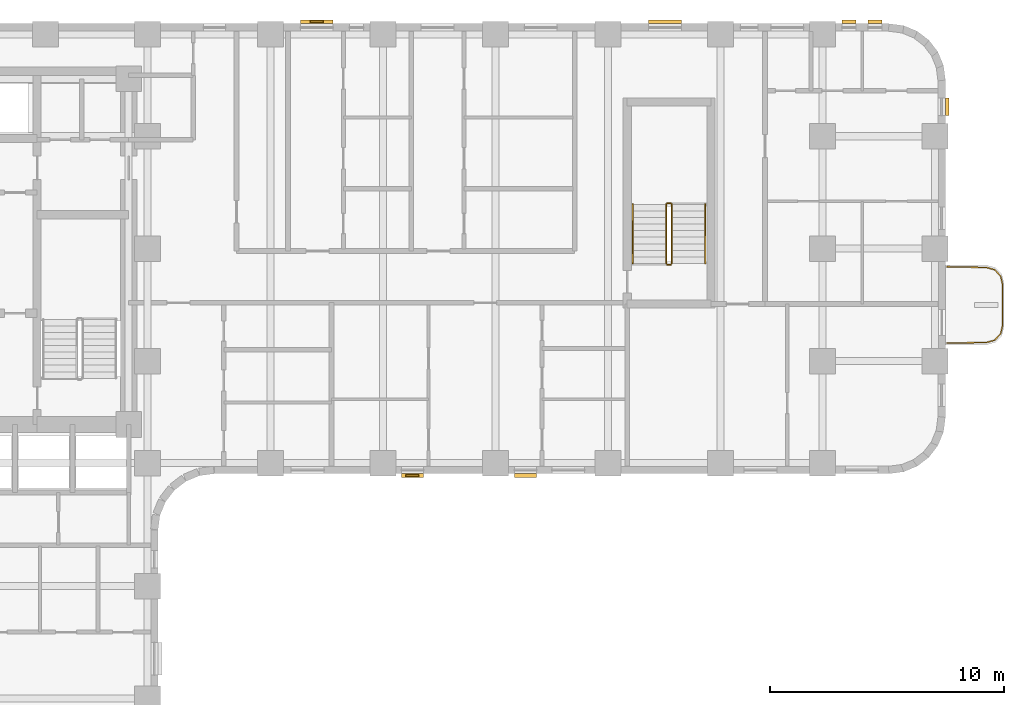
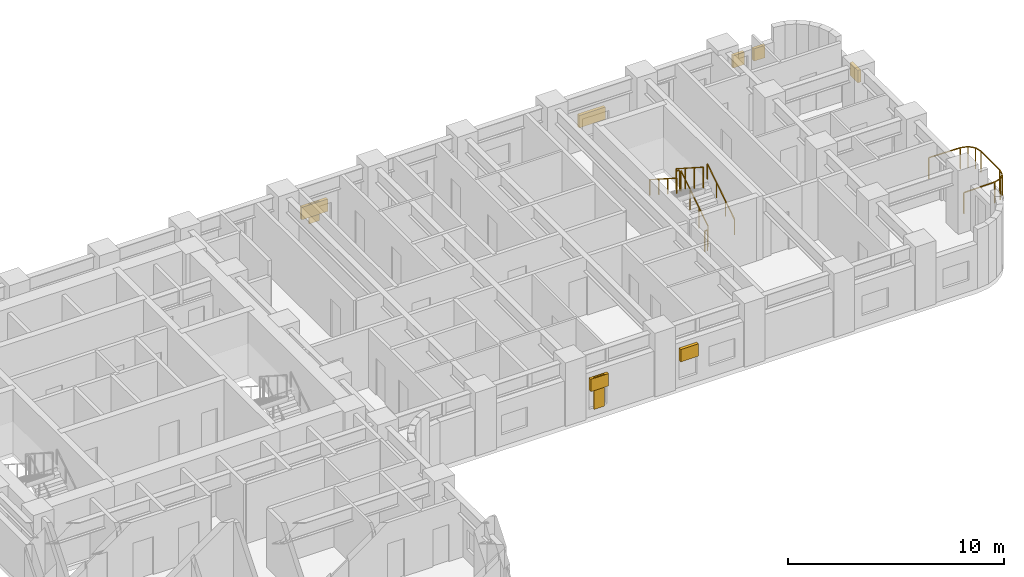
# One storey, part 10 of 10: 9 shading devices, 7 railings.
"""IFC4 building model written with IfcOpenShell, lengths in metres."""

from ifc_helpers import new_model, si_unit, direction, frame, origin, origin_2d, place, context, subcontext, project, spatial, rectangle, extrude, material, type_object, element, save


model = new_model("IFC4")

# Units and contexts
model_context = context("Model", 3, precision=1e-05, world=origin(), true_north=direction((0.0, 1.0)))
body_context = subcontext(model_context, "Body", "Model", "MODEL_VIEW")
ifc_project = project(units=[si_unit("LENGTHUNIT", "METRE"), si_unit("AREAUNIT", "SQUARE_METRE"), si_unit("VOLUMEUNIT", "CUBIC_METRE"), si_unit("PLANEANGLEUNIT", "RADIAN"), si_unit("MASSUNIT", "GRAM", prefix="KILO")], contexts=[model_context])

# Site, building, storey
site_placement = place(None, origin())
site = spatial("IfcSite", under=ifc_project, at=site_placement, CompositionType="ELEMENT")
building_placement = place(site_placement, origin())
building = spatial("IfcBuilding", under=site, at=building_placement, Name="Orvandelia Arch Residences", CompositionType="ELEMENT")
storey_placement = place(building_placement, frame((0.0, 0.0, 28.60009765625)))
storey = spatial("IfcBuildingStorey", under=building, at=storey_placement, Name="L06", CompositionType="ELEMENT", Elevation=28.60009765625)

# Railings
ifc_material_1 = material(Name="Marine-Grade Stainless Steel 316", Category="steel")
railing_type_1 = type_object("IfcRailingType", Name="GRD-BAL-1200", PredefinedType="BALUSTRADE", material=ifc_material_1)
railing_1_placement = place(storey_placement, frame((57.671875, 34.36962890625, 0.0)))
element("IfcRailing", 1, at=railing_1_placement, inside=storey, type_object=railing_type_1, Name="Safety Balustrade Guard GRD-L06-BAL-L06-E1-1", PredefinedType="BALUSTRADE", context=body_context, shape_type="SweptSolid", body=[
    extrude(rectangle(XDim=0.048095703125, YDim=0.048095703125, at=origin_2d()), frame((0.0, 0.0, 1.19580078125), z_axis=(0.999837384468, 0.018033430643, 0.0), x_axis=(-0.018033430643, 0.999837384468, 0.0)), (0.0, 0.0, 1.0), 1.6787109375),
    extrude(rectangle(XDim=0.048095703125, YDim=0.048095703125, at=origin_2d()), frame((1.678466796875, 0.0302734375, 1.19580078125), z_axis=(0.963441293861, 0.267919527627, 0.0), x_axis=(-0.267919527627, 0.963441293861, 0.0)), (0.0, 0.0, 1.0), 0.365478515625),
    extrude(rectangle(XDim=0.048095703125, YDim=0.048095703125, at=origin_2d()), frame((2.030517578125, 0.128173828125, 1.19580078125), z_axis=(0.688296224633, 0.725429739642, 0.0), x_axis=(-0.725429739642, 0.688296224633, 0.0)), (0.0, 0.0, 1.0), 0.3681640625),
    extrude(rectangle(XDim=0.048095703125, YDim=0.048095703125, at=origin_2d()), frame((2.283935546875, 0.395263671875, 1.19580078125), z_axis=(0.221225034864, 0.975222786828, 0.0), x_axis=(-0.975222786828, 0.221225034864, 0.0)), (0.0, 0.0, 1.0), 0.373046875),
    extrude(rectangle(XDim=0.048095703125, YDim=0.048095703125, at=origin_2d()), frame((2.366455078125, 0.759033203125, 1.19580078125), z_axis=(0.0, 1.0, 0.0), x_axis=(-1.0, 0.0, 0.0)), (0.0, 0.0, 1.0), 1.74267578125),
    extrude(rectangle(XDim=0.048095703125, YDim=0.048095703125, at=origin_2d()), frame((2.366455078125, 2.501708984375, 1.19580078125), z_axis=(-0.221225034864, 0.975222786828, 0.0), x_axis=(-0.975222786828, -0.221225034864, 0.0)), (0.0, 0.0, 1.0), 0.373046875),
    extrude(rectangle(XDim=0.048095703125, YDim=0.048095703125, at=origin_2d()), frame((2.283935546875, 2.865478515625, 1.19580078125), z_axis=(-0.688296224633, 0.725429739642, 0.0), x_axis=(-0.725429739642, -0.688296224633, 0.0)), (0.0, 0.0, 1.0), 0.3681640625),
    extrude(rectangle(XDim=0.048095703125, YDim=0.048095703125, at=origin_2d()), frame((2.030517578125, 3.132568359375, 1.19580078125), z_axis=(-0.963441293861, 0.267919527627, 0.0), x_axis=(-0.267919527627, -0.963441293861, 0.0)), (0.0, 0.0, 1.0), 0.365478515625),
    extrude(rectangle(XDim=0.048095703125, YDim=0.048095703125, at=origin_2d()), frame((1.678466796875, 3.23046875, 1.19580078125), z_axis=(-0.999837384468, 0.018033430643, 0.0), x_axis=(-0.018033430643, -0.999837384468, 0.0)), (0.0, 0.0, 1.0), 1.6787109375),
    extrude(rectangle(XDim=0.0419921875, YDim=0.0419921875, at=origin_2d()), origin(), (0.0, 0.0, 1.0), 1.171875),
    extrude(rectangle(XDim=0.0419921875, YDim=0.0419921875, at=origin_2d()), frame((1.678466796875, 0.0302734375, 0.0)), (0.0, 0.0, 1.0), 1.171875),
    extrude(rectangle(XDim=0.0419921875, YDim=0.0419921875, at=origin_2d()), frame((2.030517578125, 0.128173828125, 0.0)), (0.0, 0.0, 1.0), 1.171875),
    extrude(rectangle(XDim=0.0419921875, YDim=0.0419921875, at=origin_2d()), frame((2.283935546875, 0.395263671875, 0.0)), (0.0, 0.0, 1.0), 1.171875),
    extrude(rectangle(XDim=0.0419921875, YDim=0.0419921875, at=origin_2d()), frame((2.366455078125, 0.759033203125, 0.0)), (0.0, 0.0, 1.0), 1.171875),
    extrude(rectangle(XDim=0.0419921875, YDim=0.0419921875, at=origin_2d()), frame((2.366455078125, 2.501708984375, 0.0)), (0.0, 0.0, 1.0), 1.171875),
    extrude(rectangle(XDim=0.0419921875, YDim=0.0419921875, at=origin_2d()), frame((2.283935546875, 2.865478515625, 0.0)), (0.0, 0.0, 1.0), 1.171875),
    extrude(rectangle(XDim=0.0419921875, YDim=0.0419921875, at=origin_2d()), frame((2.030517578125, 3.132568359375, 0.0)), (0.0, 0.0, 1.0), 1.171875),
    extrude(rectangle(XDim=0.0419921875, YDim=0.0419921875, at=origin_2d()), frame((1.678466796875, 3.23046875, 0.0)), (0.0, 0.0, 1.0), 1.171875),
    extrude(rectangle(XDim=0.0419921875, YDim=0.0419921875, at=origin_2d()), frame((0.0, 3.2607421875, 0.0)), (0.0, 0.0, 1.0), 1.171875),
])
ifc_material_2 = material(Name="Brushed Stainless Steel 304", Category="steel")
railing_type_2 = type_object("IfcRailingType", Name="RL-STAIR-GD1120", PredefinedType="GUARDRAIL", material=ifc_material_2)
railing_2_placement = place(storey_placement, frame((45.929931640625, 37.77001953125, 0.179931640625)))
element("IfcRailing", 2, at=railing_2_placement, inside=storey, type_object=railing_type_2, Name="L06 ST-3 stair guard 1", PredefinedType="GUARDRAIL", context=body_context, shape_type="SweptSolid", body=[
    extrude(rectangle(XDim=0.048095703125, YDim=0.048095703125, at=origin_2d()), frame((0.0, 0.0, 1.17578125), z_axis=(0.0, 0.841199657755, 0.540724639528), x_axis=(-1.0, 0.0, 0.0)), (0.0, 0.0, 1.0), 2.995849609375),
    extrude(rectangle(XDim=0.0419921875, YDim=0.0419921875, at=origin_2d()), origin(), (0.0, 0.0, 1.0), 1.15185546875),
    extrude(rectangle(XDim=0.0419921875, YDim=0.0419921875, at=origin_2d()), frame((0.0, 0.840087890625, 0.5400390625)), (0.0, 0.0, 1.0), 1.15185546875),
    extrude(rectangle(XDim=0.0419921875, YDim=0.0419921875, at=origin_2d()), frame((0.0, 1.679931640625, 1.079833984375)), (0.0, 0.0, 1.0), 1.15185546875),
    extrude(rectangle(XDim=0.0419921875, YDim=0.0419921875, at=origin_2d()), frame((0.0, 2.52001953125, 1.619873046875)), (0.0, 0.0, 1.0), 1.15185546875),
])
railing_3_placement = place(storey_placement, frame((45.8798828125, 40.340087890625, 1.7998046875)))
element("IfcRailing", 3, at=railing_3_placement, inside=storey, type_object=railing_type_2, Name="L06 ST-3 stair guard 2", PredefinedType="GUARDRAIL", context=body_context, shape_type="SweptSolid", body=[
    extrude(rectangle(XDim=0.048095703125, YDim=0.048095703125, at=origin_2d()), frame((0.0, 0.0, 1.17578125), z_axis=(-1.0, 0.0, 0.0), x_axis=(0.0, -1.0, 0.0)), (0.0, 0.0, 1.0), 0.14990234375),
    extrude(rectangle(XDim=0.0419921875, YDim=0.0419921875, at=origin_2d()), origin(), (0.0, 0.0, 1.0), 1.15185546875),
    extrude(rectangle(XDim=0.0419921875, YDim=0.0419921875, at=origin_2d()), frame((-0.14990234375, 0.0, 0.0)), (0.0, 0.0, 1.0), 1.15185546875),
])
railing_4_placement = place(storey_placement, frame((45.679931640625, 40.2900390625, 1.97998046875)))
element("IfcRailing", 4, at=railing_4_placement, inside=storey, type_object=railing_type_2, Name="L06 ST-3 stair guard 3", PredefinedType="GUARDRAIL", context=body_context, shape_type="SweptSolid", body=[
    extrude(rectangle(XDim=0.048095703125, YDim=0.048095703125, at=origin_2d()), frame((0.0, 0.0, 1.17578125), z_axis=(0.0, -0.841199657755, 0.540724639528), x_axis=(1.0, 0.0, 0.0)), (0.0, 0.0, 1.0), 2.995849609375),
    extrude(rectangle(XDim=0.0419921875, YDim=0.0419921875, at=origin_2d()), origin(), (0.0, 0.0, 1.0), 1.15185546875),
    extrude(rectangle(XDim=0.0419921875, YDim=0.0419921875, at=origin_2d()), frame((0.0, -0.840087890625, 0.5400390625)), (0.0, 0.0, 1.0), 1.15185546875),
    extrude(rectangle(XDim=0.0419921875, YDim=0.0419921875, at=origin_2d()), frame((0.0, -1.679931640625, 1.079833984375)), (0.0, 0.0, 1.0), 1.15185546875),
    extrude(rectangle(XDim=0.0419921875, YDim=0.0419921875, at=origin_2d()), frame((0.0, -2.52001953125, 1.619873046875)), (0.0, 0.0, 1.0), 1.15185546875),
])
railing_5_placement = place(storey_placement, frame((45.8798828125, 37.719970703125, 0.0)))
element("IfcRailing", 5, at=railing_5_placement, inside=storey, type_object=railing_type_2, Name="L06 ST-3 stair guard 4", PredefinedType="GUARDRAIL", context=body_context, shape_type="SweptSolid", body=[
    extrude(rectangle(XDim=0.048095703125, YDim=0.048095703125, at=origin_2d()), frame((0.0, 0.0, 1.17578125), z_axis=(-1.0, 0.0, 0.0), x_axis=(0.0, -1.0, 0.0)), (0.0, 0.0, 1.0), 0.14990234375),
    extrude(rectangle(XDim=0.0419921875, YDim=0.0419921875, at=origin_2d()), origin(), (0.0, 0.0, 1.0), 1.15185546875),
    extrude(rectangle(XDim=0.0419921875, YDim=0.0419921875, at=origin_2d()), frame((-0.14990234375, 0.0, 0.0)), (0.0, 0.0, 1.0), 1.15185546875),
])
railing_type_3 = type_object("IfcRailingType", Name="RL-STAIR-HR920", PredefinedType="HANDRAIL", material=ifc_material_2)
railing_6_placement = place(storey_placement, frame((47.35009765625, 37.77001953125, 0.35986328125)))
element("IfcRailing", 6, at=railing_6_placement, inside=storey, type_object=railing_type_3, Name="L06 ST-3 stair handrail 1", PredefinedType="HANDRAIL", context=body_context, shape_type="SweptSolid", body=[
    extrude(rectangle(XDim=0.048095703125, YDim=0.048095703125, at=origin_2d()), frame((0.0, 0.0, 0.8759765625), z_axis=(0.0, 0.841162588446, 0.540782303519), x_axis=(-1.0, 0.0, 0.0)), (0.0, 0.0, 1.0), 2.995849609375),
    extrude(rectangle(XDim=0.0419921875, YDim=0.0419921875, at=origin_2d()), origin(), (0.0, 0.0, 1.0), 0.851806640625),
    extrude(rectangle(XDim=0.0419921875, YDim=0.0419921875, at=origin_2d()), frame((0.0, 0.840087890625, 0.5400390625)), (0.0, 0.0, 1.0), 0.851806640625),
    extrude(rectangle(XDim=0.0419921875, YDim=0.0419921875, at=origin_2d()), frame((0.0, 1.679931640625, 1.080078125)), (0.0, 0.0, 1.0), 0.851806640625),
    extrude(rectangle(XDim=0.0419921875, YDim=0.0419921875, at=origin_2d()), frame((0.0, 2.52001953125, 1.6201171875)), (0.0, 0.0, 1.0), 0.851806640625),
])
railing_7_placement = place(storey_placement, frame((44.260009765625, 40.2900390625, 2.159912109375)))
element("IfcRailing", 7, at=railing_7_placement, inside=storey, type_object=railing_type_3, Name="L06 ST-3 stair handrail 2", PredefinedType="HANDRAIL", context=body_context, shape_type="SweptSolid", body=[
    extrude(rectangle(XDim=0.048095703125, YDim=0.048095703125, at=origin_2d()), frame((0.0, 0.0, 0.8759765625), z_axis=(0.0, -0.841199657755, 0.540724639528), x_axis=(1.0, 0.0, 0.0)), (0.0, 0.0, 1.0), 2.995849609375),
    extrude(rectangle(XDim=0.0419921875, YDim=0.0419921875, at=origin_2d()), origin(), (0.0, 0.0, 1.0), 0.851806640625),
    extrude(rectangle(XDim=0.0419921875, YDim=0.0419921875, at=origin_2d()), frame((0.0, -0.840087890625, 0.5400390625)), (0.0, 0.0, 1.0), 0.851806640625),
    extrude(rectangle(XDim=0.0419921875, YDim=0.0419921875, at=origin_2d()), frame((0.0, -1.679931640625, 1.079833984375)), (0.0, 0.0, 1.0), 0.851806640625),
    extrude(rectangle(XDim=0.0419921875, YDim=0.0419921875, at=origin_2d()), frame((0.0, -2.52001953125, 1.619873046875)), (0.0, 0.0, 1.0), 0.851806640625),
])

# Shading devices
ifc_material_3 = material(Name="Anodised Champagne-Bronze Extruded Aluminium", Category="aluminium")
shading_device_type_1 = type_object("IfcShadingDeviceType", Name="SHD-JALOUSIE-SCREEN", PredefinedType="JALOUSIE", material=ifc_material_3)
shading_device_1_placement = place(storey_placement, frame((54.593994140625, 48.080078125, 1.5498046875), z_axis=(0.0, 0.0, 1.0), x_axis=(1.0, 0.0, 0.0)))
element("IfcShadingDevice", 8, at=shading_device_1_placement, inside=storey, type_object=shading_device_type_1, Name="Bronze Jalousie Sun-Shade L06-001", PredefinedType="JALOUSIE", context=body_context, shape_type="SweptSolid", body=[
    extrude(rectangle(XDim=0.60009765625, YDim=0.159912109375, at=origin_2d()), origin(), (0.0, 0.0, 1.0), 0.699951171875),
])
for number, where, z_axis, x_axis, name in (
    (9, (45.635986328125, 48.080078125, 1.0498046875), (0.0, 0.0, 1.0), (1.0, 0.0, 0.0), "Bronze Jalousie Sun-Shade L06-002"),
    (10, (30.77001953125, 48.080078125, 1.0498046875), (0.0, 0.0, 1.0), (1.0, 0.0, 0.0), "Bronze Jalousie Sun-Shade L06-003"),
):
    element("IfcShadingDevice", number, at=place(storey_placement, frame(where, z_axis=z_axis, x_axis=x_axis)), inside=storey, type_object=shading_device_type_1, Name=name, PredefinedType="JALOUSIE", context=body_context, shape_type="SweptSolid", body=[
        extrude(rectangle(XDim=1.39990234375, YDim=0.159912109375, at=origin_2d()), origin(), (0.0, 0.0, 1.0), 0.699951171875),
    ])
shading_device_2_placement = place(storey_placement, frame((53.48388671875, 48.080078125, 1.5498046875), z_axis=(0.0, 0.0, 1.0), x_axis=(1.0, 0.0, 0.0)))
element("IfcShadingDevice", 11, at=shading_device_2_placement, inside=storey, type_object=shading_device_type_1, Name="Bronze Jalousie Sun-Shade L06-004", PredefinedType="JALOUSIE", context=body_context, shape_type="SweptSolid", body=[
    extrude(rectangle(XDim=0.60009765625, YDim=0.159912109375, at=origin_2d()), origin(), (0.0, 0.0, 1.0), 0.699951171875),
])
shading_device_3_placement = place(storey_placement, frame((57.679931640625, 44.45458984375, 1.5498046875), z_axis=(0.0, 0.0, 1.0), x_axis=(0.0, -1.0, 0.0)))
element("IfcShadingDevice", 12, at=shading_device_3_placement, inside=storey, type_object=shading_device_type_1, Name="Bronze Jalousie Sun-Shade L06-005", PredefinedType="JALOUSIE", context=body_context, shape_type="SweptSolid", body=[
    extrude(rectangle(XDim=0.75, YDim=0.159912109375, at=origin_2d()), origin(), (0.0, 0.0, 1.0), 0.699951171875),
])
for number, where, z_axis, x_axis, name in (
    (13, (34.85546875, 28.719970703125, 1.5498046875), (0.0, 0.0, 1.0), (-1.0, 0.0, 0.0), "Bronze Jalousie Sun-Shade L06-006"),
    (14, (39.678955078125, 28.719970703125, 1.5498046875), (0.0, 0.0, 1.0), (-1.0, 0.0, 0.0), "Bronze Jalousie Sun-Shade L06-007"),
):
    element("IfcShadingDevice", number, at=place(storey_placement, frame(where, z_axis=z_axis, x_axis=x_axis)), inside=storey, type_object=shading_device_type_1, Name=name, PredefinedType="JALOUSIE", context=body_context, shape_type="SweptSolid", body=[
        extrude(rectangle(XDim=0.949951171875, YDim=0.159912109375, at=origin_2d()), origin(), (0.0, 0.0, 1.0), 0.699951171875),
    ])
ifc_material_4 = material(Name="Marine-Grade Perforated Aluminium Storm Shutter", Category="aluminium")
shading_device_type_2 = type_object("IfcShadingDeviceType", Name="SHD-STORM-SHUTTER", PredefinedType="SHUTTER", material=ifc_material_4)
shading_device_4_placement = place(storey_placement, frame((30.77001953125, 48.080078125, 0.64990234375), z_axis=(0.0, 0.0, 1.0), x_axis=(1.0, 0.0, 0.0)))
element("IfcShadingDevice", 15, at=shading_device_4_placement, inside=storey, type_object=shading_device_type_2, Name="Operable Typhoon Storm Shutter L06-003", PredefinedType="SHUTTER", context=body_context, shape_type="SweptSolid", body=[
    extrude(rectangle(XDim=0.550048828125, YDim=0.080078125, at=origin_2d()), origin(), (0.0, 0.0, 1.0), 1.10009765625),
])
shading_device_5_placement = place(storey_placement, frame((34.85546875, 28.719970703125, 0.44970703125), z_axis=(0.0, 0.0, 1.0), x_axis=(-1.0, 0.0, 0.0)))
element("IfcShadingDevice", 16, at=shading_device_5_placement, inside=storey, type_object=shading_device_type_2, Name="Operable Typhoon Storm Shutter L06-006", PredefinedType="SHUTTER", context=body_context, shape_type="SweptSolid", body=[
    extrude(rectangle(XDim=0.550048828125, YDim=0.080078125, at=origin_2d()), origin(), (0.0, 0.0, 1.0), 1.800048828125),
])

save(model, "model.ifc")
